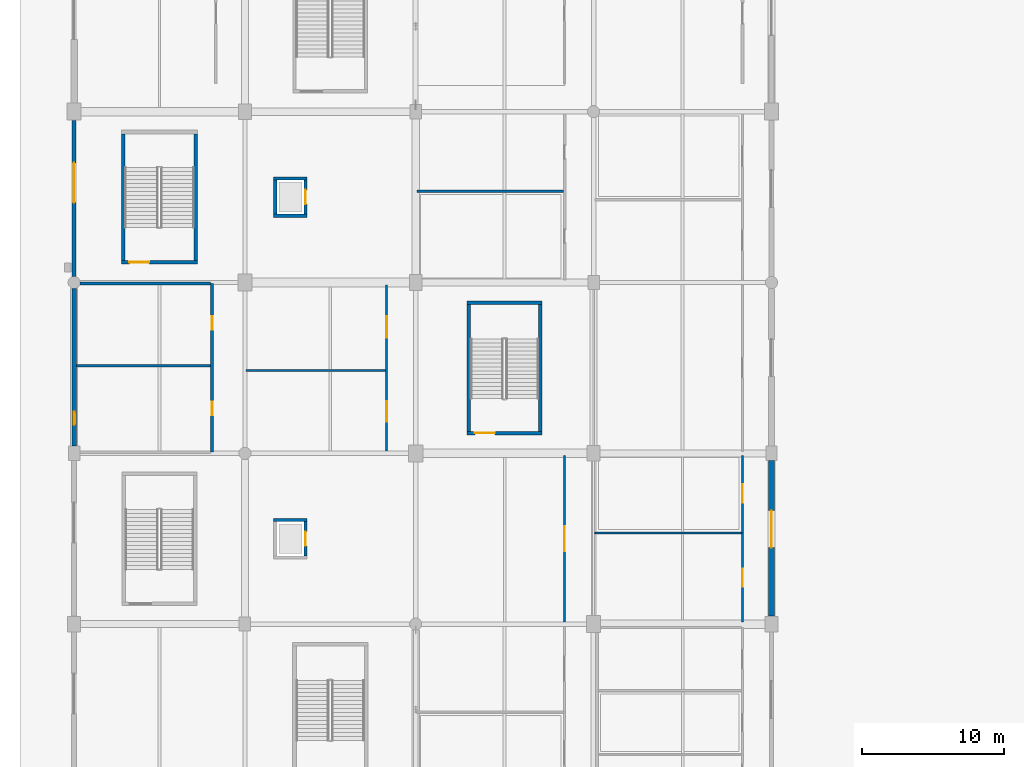
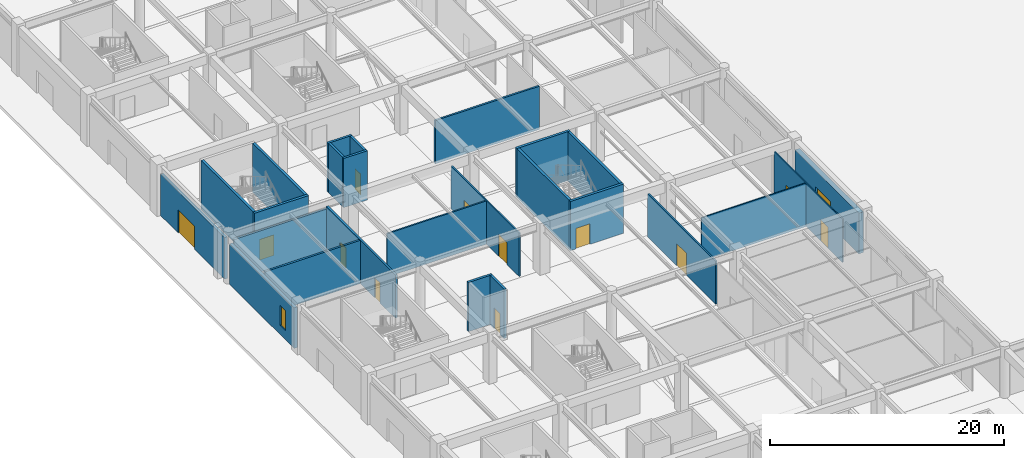
# One storey, part 19 of 69: 25 walls, 13 doors, 1 window, 14 openings.
"""IFC4 building model written with IfcOpenShell, lengths in metres."""

from ifc_helpers import new_model, si_unit, direction, frame, frame_2d, origin, place, context, subcontext, project, spatial, rectangle, extrude, material, layer, layer_set, type_object, element, fill, save


model = new_model("IFC4")

# Units and contexts
model_context = context("Model", 3, precision=1e-05, world=origin(), true_north=direction((0.0, 1.0)))
body_context = subcontext(model_context, "Body", "Model", "MODEL_VIEW")
ifc_project = project(units=[si_unit("LENGTHUNIT", "METRE"), si_unit("AREAUNIT", "SQUARE_METRE"), si_unit("VOLUMEUNIT", "CUBIC_METRE"), si_unit("PLANEANGLEUNIT", "RADIAN"), si_unit("MASSUNIT", "GRAM", prefix="KILO")], contexts=[model_context])

# Site, building, storey
site_placement = place(None, origin())
site = spatial("IfcSite", under=ifc_project, at=site_placement, CompositionType="ELEMENT")
building_placement = place(site_placement, origin())
building = spatial("IfcBuilding", under=site, at=building_placement, Name="Kazenohara Klinker Stadium", CompositionType="ELEMENT")
storey_placement = place(building_placement, origin())
storey = spatial("IfcBuildingStorey", under=building, at=storey_placement, Name="L00", CompositionType="ELEMENT", Elevation=0.0)

# Wall
ifc_material_1 = material(Name="Concrete C40/50", Category="concrete")
ifc_layer_1 = layer(ifc_material_1, 0.22998046875)
ifc_layer_set_1 = layer_set([ifc_layer_1], Name="Concrete C40/50")
wall_type_1 = type_object("IfcWallType", Name="WAL-CORE-230", PredefinedType="SHEAR", material=ifc_layer_set_1)
wall_1_placement = place(storey_placement, frame((14.02001953125, 67.31494140625, 0.0), z_axis=(0.0, 0.0, 1.0), x_axis=(1.0, 0.0, 0.0)))
element("IfcWall", 1, at=wall_1_placement, inside=storey, type_object=wall_type_1, Name="Elevator shaft wall LP01 L00 North", PredefinedType="SHEAR", context=body_context, shape_type="SweptSolid", body=[
    extrude(rectangle(XDim=2.35986328125, YDim=0.22998046875, at=frame_2d((1.179931640625, 0.0))), origin(), (0.0, 0.0, 1.0), 5.139892578125),
])

# Wall, opening, door
wall_2_placement = place(storey_placement, frame((16.264892578125, 64.800048828125, 0.0), z_axis=(0.0, 0.0, 1.0), x_axis=(0.0, 1.0, 0.0)))
wall_2 = element("IfcWall", 2, at=wall_2_placement, inside=storey, type_object=wall_type_1, Name="Elevator shaft wall LP01 L00 East", PredefinedType="SHEAR", context=body_context, shape_type="SweptSolid", body=[
    extrude(rectangle(XDim=2.39990234375, YDim=0.22998046875, at=frame_2d((1.199951171875, 0.0))), origin(), (0.0, 0.0, 1.0), 5.139892578125),
])
opening_1_placement = place(wall_2_placement, frame((0.699951171875, 0.0, 0.0)))
opening_1 = element("IfcOpeningElement", 3, at=opening_1_placement, cuts=wall_2, Name="Opening LD02", PredefinedType="OPENING", context=body_context, shape_type="SweptSolid", body=[
    extrude(rectangle(XDim=1.0, YDim=2.14990234375, at=frame_2d((0.5, 1.074951171875))), frame((0.0, 0.125, 0.0), z_axis=(0.0, -1.0, 0.0), x_axis=(1.0, 0.0, 0.0)), (0.0, 0.0, 1.0), 0.25),
])
ifc_material_2 = material(Name="Stainless steel sliding landing door", Category="steel")
door_type_1 = type_object("IfcDoorType", Name="DR-LD02-1000x2150", OperationType="NOTDEFINED", PredefinedType="DOOR", material=ifc_material_2)
door_1_placement = place(opening_1_placement, origin())
door_1 = element("IfcDoor", 4, at=door_1_placement, inside=storey, type_object=door_type_1, Name="Elevator sliding landing door LP01-L00", OperationType="DOUBLE_DOOR_SLIDING", OverallHeight=2.14990234375, OverallWidth=1.0, PredefinedType="DOOR", context=body_context, shape_type="SweptSolid", body=[
    extrude(rectangle(XDim=1.0, YDim=2.14990234375, at=frame_2d((0.5, 1.074951171875))), frame((0.0, 0.02490234375, 0.0), z_axis=(0.0, -1.0, 0.0), x_axis=(1.0, 0.0, 0.0)), (0.0, 0.0, 1.0), 0.050048828125),
])
fill(opening_1, door_1)

# Walls
for number, where, z_axis, x_axis, name in (
    (5, (14.02001953125, 88.68505859375, 0.0), (0.0, 0.0, 1.0), (1.0, 0.0, 0.0), "Elevator shaft wall LP02 L00 South"),
    (6, (14.02001953125, 91.31494140625, 0.0), (0.0, 0.0, 1.0), (1.0, 0.0, 0.0), "Elevator shaft wall LP02 L00 North"),
):
    element("IfcWall", number, at=place(storey_placement, frame(where, z_axis=z_axis, x_axis=x_axis)), inside=storey, type_object=wall_type_1, Name=name, PredefinedType="SHEAR", context=body_context, shape_type="SweptSolid", body=[
        extrude(rectangle(XDim=2.35986328125, YDim=0.22998046875, at=frame_2d((1.179931640625, 0.0))), origin(), (0.0, 0.0, 1.0), 5.139892578125),
    ])
wall_3_placement = place(storey_placement, frame((14.135009765625, 88.800048828125, 0.0), z_axis=(0.0, 0.0, 1.0), x_axis=(0.0, 1.0, 0.0)))
element("IfcWall", 7, at=wall_3_placement, inside=storey, type_object=wall_type_1, Name="Elevator shaft wall LP02 L00 West", PredefinedType="SHEAR", context=body_context, shape_type="SweptSolid", body=[
    extrude(rectangle(XDim=2.39990234375, YDim=0.22998046875, at=frame_2d((1.199951171875, 0.0))), origin(), (0.0, 0.0, 1.0), 5.139892578125),
])

# Wall, opening, door
wall_4_placement = place(storey_placement, frame((16.264892578125, 88.800048828125, 0.0), z_axis=(0.0, 0.0, 1.0), x_axis=(0.0, 1.0, 0.0)))
wall_4 = element("IfcWall", 8, at=wall_4_placement, inside=storey, type_object=wall_type_1, Name="Elevator shaft wall LP02 L00 East", PredefinedType="SHEAR", context=body_context, shape_type="SweptSolid", body=[
    extrude(rectangle(XDim=2.39990234375, YDim=0.22998046875, at=frame_2d((1.199951171875, 0.0))), origin(), (0.0, 0.0, 1.0), 5.139892578125),
])
opening_2_placement = place(wall_4_placement, frame((0.699951171875, 0.0, 0.0)))
opening_2 = element("IfcOpeningElement", 9, at=opening_2_placement, cuts=wall_4, Name="Opening LD02", PredefinedType="OPENING", context=body_context, shape_type="SweptSolid", body=[
    extrude(rectangle(XDim=1.0, YDim=2.14990234375, at=frame_2d((0.5, 1.074951171875))), frame((0.0, 0.125, 0.0), z_axis=(0.0, -1.0, 0.0), x_axis=(1.0, 0.0, 0.0)), (0.0, 0.0, 1.0), 0.25),
])
door_2_placement = place(opening_2_placement, origin())
door_2 = element("IfcDoor", 10, at=door_2_placement, inside=storey, type_object=door_type_1, Name="Elevator sliding landing door LP02-L00", OperationType="DOUBLE_DOOR_SLIDING", OverallHeight=2.14990234375, OverallWidth=1.0, PredefinedType="DOOR", context=body_context, shape_type="SweptSolid", body=[
    extrude(rectangle(XDim=1.0, YDim=2.14990234375, at=frame_2d((0.5, 1.074951171875))), frame((0.0, 0.02490234375, 0.0), z_axis=(0.0, -1.0, 0.0), x_axis=(1.0, 0.0, 0.0)), (0.0, 0.0, 1.0), 0.050048828125),
])
fill(opening_2, door_2)

ifc_layer_2 = layer(ifc_material_1, 0.25)
ifc_layer_set_2 = layer_set([ifc_layer_2], Name="Concrete C40/50")
wall_type_2 = type_object("IfcWallType", Name="WAL-CORE-250", PredefinedType="SHEAR", material=ifc_layer_set_2)
wall_5_placement = place(storey_placement, frame((3.330078125, 85.425048828125, 0.0), z_axis=(0.0, 0.0, 1.0), x_axis=(1.0, 0.0, 0.0)))
wall_5 = element("IfcWall", 11, at=wall_5_placement, inside=storey, type_object=wall_type_2, Name="Stairwell shear wall ST03 L00 South", PredefinedType="SHEAR", context=body_context, shape_type="SweptSolid", body=[
    extrude(rectangle(XDim=5.33984375, YDim=0.25, at=frame_2d((2.669921875, 0.0))), origin(), (0.0, 0.0, 1.0), 5.139892578125),
])
opening_3_placement = place(wall_5_placement, frame((0.550048828125, 0.0, 0.0)))
opening_3 = element("IfcOpeningElement", 12, at=opening_3_placement, cuts=wall_5, Name="Opening SD01", PredefinedType="OPENING", context=body_context, shape_type="SweptSolid", body=[
    extrude(rectangle(XDim=1.39990234375, YDim=2.14990234375, at=frame_2d((0.699951171875, 1.074951171875))), frame((0.0, 0.135009765625, 0.0), z_axis=(0.0, -1.0, 0.0), x_axis=(1.0, 0.0, 0.0)), (0.0, 0.0, 1.0), 0.27001953125),
])
ifc_material_3 = material(Name="Flush painted steel fire door leaf", Category="steel")
door_type_2 = type_object("IfcDoorType", Name="DR-STR-1400x2150", OperationType="NOTDEFINED", PredefinedType="DOOR", material=ifc_material_3)
door_3_placement = place(opening_3_placement, origin())
door_3 = element("IfcDoor", 13, at=door_3_placement, inside=storey, type_object=door_type_2, Name="Escape stairwell fire door ST03-L00", OperationType="SINGLE_SWING_RIGHT", OverallHeight=2.14990234375, OverallWidth=1.39990234375, PredefinedType="DOOR", context=body_context, shape_type="SweptSolid", body=[
    extrude(rectangle(XDim=1.39990234375, YDim=2.14990234375, at=frame_2d((0.699951171875, 1.074951171875))), frame((0.0, 0.02490234375, 0.0), z_axis=(0.0, -1.0, 0.0), x_axis=(1.0, 0.0, 0.0)), (0.0, 0.0, 1.0), 0.050048828125),
])
fill(opening_3, door_3)

# Walls
for number, where, z_axis, x_axis, name in (
    (14, (3.455078125, 85.550048828125, 0.0), (0.0, 0.0, 1.0), (0.0, 1.0, 0.0), "Stairwell shear wall ST03 L00 West"),
    (15, (8.544921875, 85.550048828125, 0.0), (0.0, 0.0, 1.0), (0.0, 1.0, 0.0), "Stairwell shear wall ST03 L00 East"),
):
    element("IfcWall", number, at=place(storey_placement, frame(where, z_axis=z_axis, x_axis=x_axis)), inside=storey, type_object=wall_type_2, Name=name, PredefinedType="SHEAR", context=body_context, shape_type="SweptSolid", body=[
        extrude(rectangle(XDim=8.89990234375, YDim=0.25, at=frame_2d((4.449951171875, 0.0))), origin(), (0.0, 0.0, 1.0), 5.139892578125),
    ])

# Wall, opening, door
wall_6_placement = place(storey_placement, frame((27.610107421875, 73.425048828125, 0.0), z_axis=(0.0, 0.0, 1.0), x_axis=(1.0, 0.0, 0.0)))
wall_6 = element("IfcWall", 16, at=wall_6_placement, inside=storey, type_object=wall_type_2, Name="Stairwell shear wall ST17 L00 South", PredefinedType="SHEAR", context=body_context, shape_type="SweptSolid", body=[
    extrude(rectangle(XDim=5.27978515625, YDim=0.25, at=frame_2d((2.639892578125, 0.0))), origin(), (0.0, 0.0, 1.0), 5.139892578125),
])
opening_4_placement = place(wall_6_placement, frame((0.550048828125, 0.0, 0.0)))
opening_4 = element("IfcOpeningElement", 17, at=opening_4_placement, cuts=wall_6, Name="Opening SD01", PredefinedType="OPENING", context=body_context, shape_type="SweptSolid", body=[
    extrude(rectangle(XDim=1.39990234375, YDim=2.14990234375, at=frame_2d((0.699951171875, 1.074951171875))), frame((0.0, 0.135009765625, 0.0), z_axis=(0.0, -1.0, 0.0), x_axis=(1.0, 0.0, 0.0)), (0.0, 0.0, 1.0), 0.27001953125),
])
door_4_placement = place(opening_4_placement, origin())
door_4 = element("IfcDoor", 18, at=door_4_placement, inside=storey, type_object=door_type_2, Name="Escape stairwell fire door ST17-L00", OperationType="SINGLE_SWING_LEFT", OverallHeight=2.14990234375, OverallWidth=1.39990234375, PredefinedType="DOOR", context=body_context, shape_type="SweptSolid", body=[
    extrude(rectangle(XDim=1.39990234375, YDim=2.14990234375, at=frame_2d((0.699951171875, 1.074951171875))), frame((0.0, 0.02490234375, 0.0), z_axis=(0.0, -1.0, 0.0), x_axis=(1.0, 0.0, 0.0)), (0.0, 0.0, 1.0), 0.050048828125),
])
fill(opening_4, door_4)

# Walls
wall_7_placement = place(storey_placement, frame((27.610107421875, 82.574951171875, 0.0), z_axis=(0.0, 0.0, 1.0), x_axis=(1.0, 0.0, 0.0)))
element("IfcWall", 19, at=wall_7_placement, inside=storey, type_object=wall_type_2, Name="Stairwell shear wall ST17 L00 North", PredefinedType="SHEAR", context=body_context, shape_type="SweptSolid", body=[
    extrude(rectangle(XDim=5.27978515625, YDim=0.25, at=frame_2d((2.639892578125, 0.0))), origin(), (0.0, 0.0, 1.0), 5.139892578125),
])
for number, where, z_axis, x_axis, name in (
    (20, (27.735107421875, 73.550048828125, 0.0), (0.0, 0.0, 1.0), (0.0, 1.0, 0.0), "Stairwell shear wall ST17 L00 West"),
    (21, (32.764892578125, 73.550048828125, 0.0), (0.0, 0.0, 1.0), (0.0, 1.0, 0.0), "Stairwell shear wall ST17 L00 East"),
):
    element("IfcWall", number, at=place(storey_placement, frame(where, z_axis=z_axis, x_axis=x_axis)), inside=storey, type_object=wall_type_2, Name=name, PredefinedType="SHEAR", context=body_context, shape_type="SweptSolid", body=[
        extrude(rectangle(XDim=8.89990234375, YDim=0.25, at=frame_2d((4.449951171875, 0.0))), origin(), (0.0, 0.0, 1.0), 5.139892578125),
    ])

# Wall, opening, door
ifc_material_4 = material(Name="Clinker brick masonry", Category="masonry")
ifc_layer_3 = layer(ifc_material_4, 0.280029296875)
ifc_layer_set_3 = layer_set([ifc_layer_3], Name="Clinker brick masonry")
wall_type_3 = type_object("IfcWallType", Name="WAL-EXT-CB280", PredefinedType="SOLIDWALL", material=ifc_layer_set_3)
wall_8_placement = place(storey_placement, frame((0.0, 84.428955078125, 0.0), z_axis=(0.0, 0.0, 1.0), x_axis=(0.0, 1.0, 0.0)))
wall_8 = element("IfcWall", 22, at=wall_8_placement, inside=storey, type_object=wall_type_3, Name="Clinker brick cavity wall EW06 L00 Y0-7", PredefinedType="SOLIDWALL", context=body_context, shape_type="SweptSolid", body=[
    extrude(rectangle(XDim=10.967041015625, YDim=0.280029296875, at=frame_2d((5.4833984375, 0.0))), origin(), (0.0, 0.0, 1.0), 4.340087890625),
])
opening_5_placement = place(wall_8_placement, frame((5.18017578125, 0.0, 0.0)))
opening_5 = element("IfcOpeningElement", 23, at=opening_5_placement, cuts=wall_8, Name="Opening G05", PredefinedType="OPENING", context=body_context, shape_type="SweptSolid", body=[
    extrude(rectangle(XDim=2.800048828125, YDim=2.39990234375, at=frame_2d((1.39990234375, 1.199951171875))), frame((0.0, 0.14990234375, 0.0), z_axis=(0.0, -1.0, 0.0), x_axis=(1.0, 0.0, 0.0)), (0.0, 0.0, 1.0), 0.300048828125),
])
ifc_material_5 = material(Name="Powder-coated aluminium and laminated safety glass", Category="aluminium")
door_type_3 = type_object("IfcDoorType", Name="DR-GATE-2800x2400", OperationType="NOTDEFINED", PredefinedType="DOOR", material=ifc_material_5)
door_5_placement = place(opening_5_placement, origin())
door_5 = element("IfcDoor", 24, at=door_5_placement, inside=storey, type_object=door_type_3, Name="Pedestrian exit gate G05", OperationType="DOUBLE_DOOR_SINGLE_SWING", OverallHeight=2.39990234375, OverallWidth=2.800048828125, PredefinedType="DOOR", context=body_context, shape_type="SweptSolid", body=[
    extrude(rectangle(XDim=2.800048828125, YDim=2.39990234375, at=frame_2d((1.39990234375, 1.199951171875))), frame((0.0, 0.02490234375, 0.0), z_axis=(0.0, -1.0, 0.0), x_axis=(1.0, 0.0, 0.0)), (0.0, 0.0, 1.0), 0.050048828125),
])
fill(opening_5, door_5)

# Wall, opening, window
ifc_layer_4 = layer(ifc_material_4, 0.31005859375)
ifc_layer_set_4 = layer_set([ifc_layer_4], Name="Clinker brick masonry")
wall_type_4 = type_object("IfcWallType", Name="WAL-EXT-CB310", PredefinedType="SOLIDWALL", material=ifc_layer_set_4)
wall_9_placement = place(storey_placement, frame((0.0, 72.50390625, 0.0), z_axis=(0.0, 0.0, 1.0), x_axis=(0.0, 1.0, 0.0)))
wall_9 = element("IfcWall", 25, at=wall_9_placement, inside=storey, type_object=wall_type_4, Name="Clinker brick cavity wall EW05 L00 Y0-6", PredefinedType="SOLIDWALL", context=body_context, shape_type="SweptSolid", body=[
    extrude(rectangle(XDim=11.067138671875, YDim=0.31005859375, at=frame_2d((5.53369140625, 0.0))), origin(), (0.0, 0.0, 1.0), 4.239990234375),
])
opening_6_placement = place(wall_9_placement, frame((1.5, 0.0, 0.949951171875)))
opening_6 = element("IfcOpeningElement", 26, at=opening_6_placement, cuts=wall_9, Name="Opening W01", PredefinedType="OPENING", context=body_context, shape_type="SweptSolid", body=[
    extrude(rectangle(XDim=0.89990234375, YDim=2.10009765625, at=frame_2d((0.449951171875, 1.050048828125))), frame((0.0, 0.1650390625, 0.0), z_axis=(0.0, -1.0, 0.0), x_axis=(1.0, 0.0, 0.0)), (0.0, 0.0, 1.0), 0.330078125),
])
ifc_material_6 = material(Name="Dark bronze aluminium frame and triple glazing", Category="aluminium")
window_type = type_object("IfcWindowType", Name="WIN-AS-01", PartitioningType="SINGLE_PANEL", PredefinedType="WINDOW", material=ifc_material_6)
window_placement = place(opening_6_placement, origin())
window = element("IfcWindow", 27, at=window_placement, inside=storey, type_object=window_type, Name="Horizontal-mullion ladder window W01 L00 Y0-6", OverallHeight=2.10009765625, OverallWidth=0.89990234375, PartitioningType="SINGLE_PANEL", PredefinedType="WINDOW", context=body_context, shape_type="SweptSolid", body=[
    extrude(rectangle(XDim=0.89990234375, YDim=2.10009765625, at=frame_2d((0.449951171875, 1.050048828125))), frame((0.0, 0.030029296875, 0.0), z_axis=(0.0, -1.0, 0.0), x_axis=(1.0, 0.0, 0.0)), (0.0, 0.0, 1.0), 0.06005859375),
])
fill(opening_6, window)

# Wall, opening, door
ifc_layer_5 = layer(ifc_material_4, 0.449951171875)
ifc_layer_set_5 = layer_set([ifc_layer_5], Name="Clinker brick masonry")
wall_type_5 = type_object("IfcWallType", Name="WAL-EXT-CB450", PredefinedType="SOLIDWALL", material=ifc_layer_set_5)
wall_10_placement = place(storey_placement, frame((49.0, 60.553955078125, 0.0), z_axis=(0.0, 0.0, 1.0), x_axis=(0.0, 1.0, 0.0)))
wall_10 = element("IfcWall", 28, at=wall_10_placement, inside=storey, type_object=wall_type_5, Name="Clinker brick cavity wall EW01 L00 Y4-5", PredefinedType="SOLIDWALL", context=body_context, shape_type="SweptSolid", body=[
    extrude(rectangle(XDim=10.942138671875, YDim=0.449951171875, at=frame_2d((5.47119140625, 0.0))), origin(), (0.0, 0.0, 1.0), 4.239990234375),
])
opening_7_placement = place(wall_10_placement, frame((7.427490234375, 0.0, 0.0), z_axis=(0.0, 0.0, 1.0), x_axis=(-1.0, 0.0, 0.0)))
opening_7 = element("IfcOpeningElement", 29, at=opening_7_placement, cuts=wall_10, Name="Opening VP03", PredefinedType="OPENING", context=body_context, shape_type="SweptSolid", body=[
    extrude(rectangle(XDim=2.60009765625, YDim=2.5, at=frame_2d((1.300048828125, 1.25))), frame((0.0, 0.23486328125, 0.0), z_axis=(0.0, -1.0, 0.0), x_axis=(1.0, 0.0, 0.0)), (0.0, 0.0, 1.0), 0.469970703125),
])
ifc_material_7 = material(Name="Anodised aluminium acoustic portal leaf", Category="aluminium")
door_type_4 = type_object("IfcDoorType", Name="DR-VOM-2600x2500", OperationType="NOTDEFINED", PredefinedType="DOOR", material=ifc_material_7)
door_6_placement = place(opening_7_placement, origin())
door_6 = element("IfcDoor", 30, at=door_6_placement, inside=storey, type_object=door_type_4, Name="Lower bowl vomitory portal door VP03", OperationType="DOUBLE_DOOR_SINGLE_SWING", OverallHeight=2.5, OverallWidth=2.60009765625, PredefinedType="DOOR", context=body_context, shape_type="SweptSolid", body=[
    extrude(rectangle(XDim=2.60009765625, YDim=2.5, at=frame_2d((1.300048828125, 1.25))), frame((0.0, 0.02490234375, 0.0), z_axis=(0.0, -1.0, 0.0), x_axis=(1.0, 0.0, 0.0)), (0.0, 0.0, 1.0), 0.050048828125),
])
fill(opening_7, door_6)

# Wall, openings, doors
ifc_material_8 = material(Name="Fire-rated gypsum board on acoustic studs", Category="gypsum")
ifc_layer_6 = layer(ifc_material_8, 0.110107421875)
ifc_layer_set_6 = layer_set([ifc_layer_6], Name="Fire-rated gypsum board on acoustic studs")
wall_type_6 = type_object("IfcWallType", Name="WAL-INT-P110", PredefinedType="PARTITIONING", material=ifc_layer_set_6)
wall_11_placement = place(storey_placement, frame((46.9599609375, 60.159912109375, 0.0), z_axis=(0.0, 0.0, 1.0), x_axis=(0.0, 1.0, 0.0)))
wall_11 = element("IfcWall", 31, at=wall_11_placement, inside=storey, type_object=wall_type_6, Name="Interior partition wall PT01 SPC-L00-03-05-1-1", PredefinedType="PARTITIONING", context=body_context, shape_type="SweptSolid", body=[
    extrude(rectangle(XDim=11.68017578125, YDim=0.110107421875, at=frame_2d((5.840087890625, 0.0))), origin(), (0.0, 0.0, 1.0), 4.52001953125),
])
opening_8_placement = place(wall_11_placement, frame((2.449462890625, 0.0, 0.0)))
opening_8 = element("IfcOpeningElement", 32, at=opening_8_placement, cuts=wall_11, Name="Opening ID14", PredefinedType="OPENING", context=body_context, shape_type="SweptSolid", body=[
    extrude(rectangle(XDim=1.27001953125, YDim=2.199951171875, at=frame_2d((0.635009765625, 1.10009765625))), frame((0.0, 0.06494140625, 0.0), z_axis=(0.0, -1.0, 0.0), x_axis=(1.0, 0.0, 0.0)), (0.0, 0.0, 1.0), 0.130126953125),
])
opening_9_placement = place(wall_11_placement, frame((8.3544921875, 0.0, 0.0)))
opening_9 = element("IfcOpeningElement", 33, at=opening_9_placement, cuts=wall_11, Name="Opening ID15", PredefinedType="OPENING", context=body_context, shape_type="SweptSolid", body=[
    extrude(rectangle(XDim=1.300048828125, YDim=2.239990234375, at=frame_2d((0.64990234375, 1.1201171875))), frame((0.0, 0.06494140625, 0.0), z_axis=(0.0, -1.0, 0.0), x_axis=(1.0, 0.0, 0.0)), (0.0, 0.0, 1.0), 0.130126953125),
])
ifc_material_9 = material(Name="Solid-core Hokkaido oak fire door", Category="wood")
door_type_5 = type_object("IfcDoorType", Name="DR-INT-14", OperationType="NOTDEFINED", PredefinedType="DOOR", material=ifc_material_9)
door_7_placement = place(opening_8_placement, origin())
door_7 = element("IfcDoor", 34, at=door_7_placement, inside=storey, type_object=door_type_5, Name="Interior door ID14 Civic Stadium Heritage Museum Exhibition Gallery L00-0305A", OperationType="SINGLE_SWING_LEFT", OverallHeight=2.199951171875, OverallWidth=1.27001953125, PredefinedType="DOOR", context=body_context, shape_type="SweptSolid", body=[
    extrude(rectangle(XDim=1.27001953125, YDim=2.199951171875, at=frame_2d((0.635009765625, 1.10009765625))), frame((0.0, 0.02490234375, 0.0), z_axis=(0.0, -1.0, 0.0), x_axis=(1.0, 0.0, 0.0)), (0.0, 0.0, 1.0), 0.050048828125),
])
fill(opening_8, door_7)
door_type_6 = type_object("IfcDoorType", Name="DR-INT-15", OperationType="NOTDEFINED", PredefinedType="DOOR", material=ifc_material_9)
door_8_placement = place(opening_9_placement, origin())
door_8 = element("IfcDoor", 35, at=door_8_placement, inside=storey, type_object=door_type_6, Name="Interior door ID15 Street-Front Bakery and Cafe Restaurant L00-0305B", OperationType="SINGLE_SWING_RIGHT", OverallHeight=2.239990234375, OverallWidth=1.300048828125, PredefinedType="DOOR", context=body_context, shape_type="SweptSolid", body=[
    extrude(rectangle(XDim=1.300048828125, YDim=2.239990234375, at=frame_2d((0.64990234375, 1.1201171875))), frame((0.0, 0.02490234375, 0.0), z_axis=(0.0, -1.0, 0.0), x_axis=(1.0, 0.0, 0.0)), (0.0, 0.0, 1.0), 0.050048828125),
])
fill(opening_9, door_8)

# Wall
ifc_layer_7 = layer(ifc_material_8, 0.1201171875)
ifc_layer_set_7 = layer_set([ifc_layer_7], Name="Fire-rated gypsum board on acoustic studs")
wall_type_7 = type_object("IfcWallType", Name="WAL-INT-P120", PredefinedType="PARTITIONING", material=ifc_layer_set_7)
wall_12_placement = place(storey_placement, frame((36.580078125, 66.40869140625, 0.0), z_axis=(0.0, 0.0, 1.0), x_axis=(1.0, 0.0, 0.0)))
element("IfcWall", 36, at=wall_12_placement, inside=storey, type_object=wall_type_7, Name="Interior partition wall PT02 SPC-L00-03-05-1-2", PredefinedType="PARTITIONING", context=body_context, shape_type="SweptSolid", body=[
    extrude(rectangle(XDim=10.31982421875, YDim=0.1201171875, at=frame_2d((5.159912109375, 0.0))), origin(), (0.0, 0.0, 1.0), 4.52001953125),
])

# Wall, openings, doors
ifc_layer_8 = layer(ifc_material_8, 0.139892578125)
ifc_layer_set_8 = layer_set([ifc_layer_8], Name="Fire-rated gypsum board on acoustic studs")
wall_type_8 = type_object("IfcWallType", Name="WAL-INT-P140", PredefinedType="PARTITIONING", material=ifc_layer_set_8)
wall_13_placement = place(storey_placement, frame((21.9599609375, 72.159912109375, 0.0), z_axis=(0.0, 0.0, 1.0), x_axis=(0.0, 1.0, 0.0)))
wall_13 = element("IfcWall", 37, at=wall_13_placement, inside=storey, type_object=wall_type_8, Name="Interior partition wall PT03 SPC-L00-01-06-1-1", PredefinedType="PARTITIONING", context=body_context, shape_type="SweptSolid", body=[
    extrude(rectangle(XDim=11.68017578125, YDim=0.139892578125, at=frame_2d((5.840087890625, 0.0))), origin(), (0.0, 0.0, 1.0), 4.52001953125),
])
opening_10_placement = place(wall_13_placement, frame((2.072509765625, 0.0, 0.0)))
opening_10 = element("IfcOpeningElement", 38, at=opening_10_placement, cuts=wall_13, Name="Opening ID19", PredefinedType="OPENING", context=body_context, shape_type="SweptSolid", body=[
    extrude(rectangle(XDim=1.43994140625, YDim=2.260009765625, at=frame_2d((0.719970703125, 1.1298828125))), frame((0.0, 0.080078125, 0.0), z_axis=(0.0, -1.0, 0.0), x_axis=(1.0, 0.0, 0.0)), (0.0, 0.0, 1.0), 0.159912109375),
])
opening_11_placement = place(wall_13_placement, frame((7.972412109375, 0.0, 0.0)))
opening_11 = element("IfcOpeningElement", 39, at=opening_11_placement, cuts=wall_13, Name="Opening ID20", PredefinedType="OPENING", context=body_context, shape_type="SweptSolid", body=[
    extrude(rectangle(XDim=1.47998046875, YDim=2.239990234375, at=frame_2d((0.739990234375, 1.1201171875))), frame((0.0, 0.080078125, 0.0), z_axis=(0.0, -1.0, 0.0), x_axis=(1.0, 0.0, 0.0)), (0.0, 0.0, 1.0), 0.159912109375),
])
ifc_material_10 = material(Name="Painted steel plant fire door", Category="steel")
door_type_7 = type_object("IfcDoorType", Name="DR-INT-19", OperationType="NOTDEFINED", PredefinedType="DOOR", material=ifc_material_10)
door_9_placement = place(opening_10_placement, origin())
door_9 = element("IfcDoor", 40, at=door_9_placement, inside=storey, type_object=door_type_7, Name="Interior door ID19 Supporter Merchandising Retail Shop L00-0106A", OperationType="SINGLE_SWING_RIGHT", OverallHeight=2.260009765625, OverallWidth=1.43994140625, PredefinedType="DOOR", context=body_context, shape_type="SweptSolid", body=[
    extrude(rectangle(XDim=1.43994140625, YDim=2.260009765625, at=frame_2d((0.719970703125, 1.1298828125))), frame((0.0, 0.02490234375, 0.0), z_axis=(0.0, -1.0, 0.0), x_axis=(1.0, 0.0, 0.0)), (0.0, 0.0, 1.0), 0.050048828125),
])
fill(opening_10, door_9)
door_type_8 = type_object("IfcDoorType", Name="DR-INT-20", OperationType="NOTDEFINED", PredefinedType="DOOR", material=ifc_material_10)
door_10_placement = place(opening_11_placement, origin())
door_10 = element("IfcDoor", 41, at=door_10_placement, inside=storey, type_object=door_type_8, Name="Interior door ID20 Concourse Craft Beverage Tavern L00-0106B", OperationType="SINGLE_SWING_LEFT", OverallHeight=2.239990234375, OverallWidth=1.47998046875, PredefinedType="DOOR", context=body_context, shape_type="SweptSolid", body=[
    extrude(rectangle(XDim=1.47998046875, YDim=2.239990234375, at=frame_2d((0.739990234375, 1.1201171875))), frame((0.0, 0.02490234375, 0.0), z_axis=(0.0, -1.0, 0.0), x_axis=(1.0, 0.0, 0.0)), (0.0, 0.0, 1.0), 0.050048828125),
])
fill(opening_11, door_10)

# Wall
ifc_layer_9 = layer(ifc_material_8, 0.14990234375)
ifc_layer_set_9 = layer_set([ifc_layer_9], Name="Fire-rated gypsum board on acoustic studs")
wall_type_9 = type_object("IfcWallType", Name="WAL-INT-P150", PredefinedType="PARTITIONING", material=ifc_layer_set_9)
wall_14_placement = place(storey_placement, frame((12.080078125, 77.82470703125, 0.0), z_axis=(0.0, 0.0, 1.0), x_axis=(1.0, 0.0, 0.0)))
element("IfcWall", 42, at=wall_14_placement, inside=storey, type_object=wall_type_9, Name="Interior partition wall PT04 SPC-L00-01-06-1-2", PredefinedType="PARTITIONING", context=body_context, shape_type="SweptSolid", body=[
    extrude(rectangle(XDim=9.804931640625, YDim=0.14990234375, at=frame_2d((4.90234375, 0.0))), origin(), (0.0, 0.0, 1.0), 4.52001953125),
])

# Wall, opening, door
wall_15_placement = place(storey_placement, frame((34.4599609375, 60.159912109375, 0.0), z_axis=(0.0, 0.0, 1.0), x_axis=(0.0, 1.0, 0.0)))
wall_15 = element("IfcWall", 43, at=wall_15_placement, inside=storey, type_object=wall_type_9, Name="Interior partition wall PT04 SPC-L00-02-05-1-1", PredefinedType="PARTITIONING", context=body_context, shape_type="SweptSolid", body=[
    extrude(rectangle(XDim=11.68017578125, YDim=0.14990234375, at=frame_2d((5.840087890625, 0.0))), origin(), (0.0, 0.0, 1.0), 4.52001953125),
])
opening_12_placement = place(wall_15_placement, frame((4.9599609375, 0.0, 0.0)))
opening_12 = element("IfcOpeningElement", 44, at=opening_12_placement, cuts=wall_15, Name="Opening ID26", PredefinedType="OPENING", context=body_context, shape_type="SweptSolid", body=[
    extrude(rectangle(XDim=1.760009765625, YDim=2.300048828125, at=frame_2d((0.8798828125, 1.14990234375))), frame((0.0, 0.0849609375, 0.0), z_axis=(0.0, -1.0, 0.0), x_axis=(1.0, 0.0, 0.0)), (0.0, 0.0, 1.0), 0.169921875),
])
door_type_9 = type_object("IfcDoorType", Name="DR-INT-26", OperationType="NOTDEFINED", PredefinedType="DOOR", material=ifc_material_10)
door_11_placement = place(opening_12_placement, origin())
door_11 = element("IfcDoor", 45, at=door_11_placement, inside=storey, type_object=door_type_9, Name="Interior door ID26 Civic Stadium Heritage Museum Exhibition Gallery L00-0205A", OperationType="SINGLE_SWING_LEFT", OverallHeight=2.300048828125, OverallWidth=1.760009765625, PredefinedType="DOOR", context=body_context, shape_type="SweptSolid", body=[
    extrude(rectangle(XDim=1.760009765625, YDim=2.300048828125, at=frame_2d((0.8798828125, 1.14990234375))), frame((0.0, 0.02490234375, 0.0), z_axis=(0.0, -1.0, 0.0), x_axis=(1.0, 0.0, 0.0)), (0.0, 0.0, 1.0), 0.050048828125),
])
fill(opening_12, door_11)

# Wall
ifc_layer_10 = layer(ifc_material_8, 0.18994140625)
ifc_layer_set_10 = layer_set([ifc_layer_10], Name="Fire-rated gypsum board on acoustic studs")
wall_type_10 = type_object("IfcWallType", Name="WAL-INT-P190", PredefinedType="PARTITIONING", material=ifc_layer_set_10)
wall_16_placement = place(storey_placement, frame((24.080078125, 90.40869140625, 0.0), z_axis=(0.0, 0.0, 1.0), x_axis=(1.0, 0.0, 0.0)))
element("IfcWall", 46, at=wall_16_placement, inside=storey, type_object=wall_type_10, Name="Interior partition wall PT06 SPC-L00-02-07-1-2", PredefinedType="PARTITIONING", context=body_context, shape_type="SweptSolid", body=[
    extrude(rectangle(XDim=10.2900390625, YDim=0.18994140625, at=frame_2d((5.14501953125, 0.0))), origin(), (0.0, 0.0, 1.0), 4.52001953125),
])

# Wall, openings, doors
ifc_layer_11 = layer(ifc_material_1, 0.199951171875)
ifc_layer_set_11 = layer_set([ifc_layer_11], Name="Concrete C40/50")
wall_type_11 = type_object("IfcWallType", Name="WAL-INT-RC200", PredefinedType="SOLIDWALL", material=ifc_layer_set_11)
wall_17_placement = place(storey_placement, frame((9.699951171875, 72.080078125, 0.0), z_axis=(0.0, 0.0, 1.0), x_axis=(0.0, 1.0, 0.0)))
wall_17 = element("IfcWall", 47, at=wall_17_placement, inside=storey, type_object=wall_type_11, Name="Interior partition wall IW-R1 SPC-L00-BOSAI-SENTA-1", PredefinedType="SOLIDWALL", context=body_context, shape_type="SweptSolid", body=[
    extrude(rectangle(XDim=11.83984375, YDim=0.199951171875, at=frame_2d((5.919921875, 0.0))), origin(), (0.0, 0.0, 1.0), 4.52001953125),
])
opening_13_placement = place(wall_17_placement, frame((2.610107421875, 0.0, 0.0)))
opening_13 = element("IfcOpeningElement", 48, at=opening_13_placement, cuts=wall_17, Name="Opening ID02", PredefinedType="OPENING", context=body_context, shape_type="SweptSolid", body=[
    extrude(rectangle(XDim=0.919921875, YDim=2.10009765625, at=frame_2d((0.4599609375, 1.050048828125))), frame((0.0, 0.10986328125, 0.0), z_axis=(0.0, -1.0, 0.0), x_axis=(1.0, 0.0, 0.0)), (0.0, 0.0, 1.0), 0.219970703125),
])
opening_14_placement = place(wall_17_placement, frame((8.594970703125, 0.0, 0.0)))
opening_14 = element("IfcOpeningElement", 49, at=opening_14_placement, cuts=wall_17, Name="Opening ID03", PredefinedType="OPENING", context=body_context, shape_type="SweptSolid", body=[
    extrude(rectangle(XDim=0.949951171875, YDim=2.1201171875, at=frame_2d((0.47509765625, 1.06005859375))), frame((0.0, 0.10986328125, 0.0), z_axis=(0.0, -1.0, 0.0), x_axis=(1.0, 0.0, 0.0)), (0.0, 0.0, 1.0), 0.219970703125),
])
door_type_10 = type_object("IfcDoorType", Name="DR-INT-02", OperationType="NOTDEFINED", PredefinedType="DOOR", material=ifc_material_9)
door_12_placement = place(opening_13_placement, origin())
door_12 = element("IfcDoor", 50, at=door_12_placement, inside=storey, type_object=door_type_10, Name="Interior door ID02 Disaster Prevention and Fire Control Room (Bosai Senta)", OperationType="SINGLE_SWING_LEFT", OverallHeight=2.10009765625, OverallWidth=0.919921875, PredefinedType="DOOR", context=body_context, shape_type="SweptSolid", body=[
    extrude(rectangle(XDim=0.919921875, YDim=2.10009765625, at=frame_2d((0.4599609375, 1.050048828125))), frame((0.0, 0.02490234375, 0.0), z_axis=(0.0, -1.0, 0.0), x_axis=(1.0, 0.0, 0.0)), (0.0, 0.0, 1.0), 0.050048828125),
])
fill(opening_13, door_12)
door_type_11 = type_object("IfcDoorType", Name="DR-INT-03", OperationType="NOTDEFINED", PredefinedType="DOOR", material=ifc_material_9)
door_13_placement = place(opening_14_placement, origin())
door_13 = element("IfcDoor", 51, at=door_13_placement, inside=storey, type_object=door_type_11, Name="Interior door ID03 Matchday Accreditation Security Suite", OperationType="SINGLE_SWING_RIGHT", OverallHeight=2.1201171875, OverallWidth=0.949951171875, PredefinedType="DOOR", context=body_context, shape_type="SweptSolid", body=[
    extrude(rectangle(XDim=0.949951171875, YDim=2.1201171875, at=frame_2d((0.47509765625, 1.06005859375))), frame((0.0, 0.02490234375, 0.0), z_axis=(0.0, -1.0, 0.0), x_axis=(1.0, 0.0, 0.0)), (0.0, 0.0, 1.0), 0.050048828125),
])
fill(opening_14, door_13)

# Walls
wall_18_placement = place(storey_placement, frame((0.156982421875, 78.14990234375, 0.0), z_axis=(0.0, 0.0, 1.0), x_axis=(1.0, 0.0, 0.0)))
element("IfcWall", 52, at=wall_18_placement, inside=storey, type_object=wall_type_11, Name="Interior partition wall IW-R1 SPC-L00-BOSAI-SENTA-2", PredefinedType="SOLIDWALL", context=body_context, shape_type="SweptSolid", body=[
    extrude(rectangle(XDim=9.43798828125, YDim=0.199951171875, at=frame_2d((4.718994140625, 0.0))), origin(), (0.0, 0.0, 1.0), 4.52001953125),
])
wall_19_placement = place(storey_placement, frame((0.428955078125, 83.919921875, 0.0), z_axis=(0.0, 0.0, 1.0), x_axis=(1.0, 0.0, 0.0)))
element("IfcWall", 53, at=wall_19_placement, inside=storey, type_object=wall_type_11, Name="Interior partition wall IW-R1 SPC-L00-BOSAI-SENTA-4", PredefinedType="SOLIDWALL", context=body_context, shape_type="SweptSolid", body=[
    extrude(rectangle(XDim=9.166015625, YDim=0.199951171875, at=frame_2d((4.5830078125, 0.0))), origin(), (0.0, 0.0, 1.0), 4.300048828125),
])

save(model, "model.ifc")
